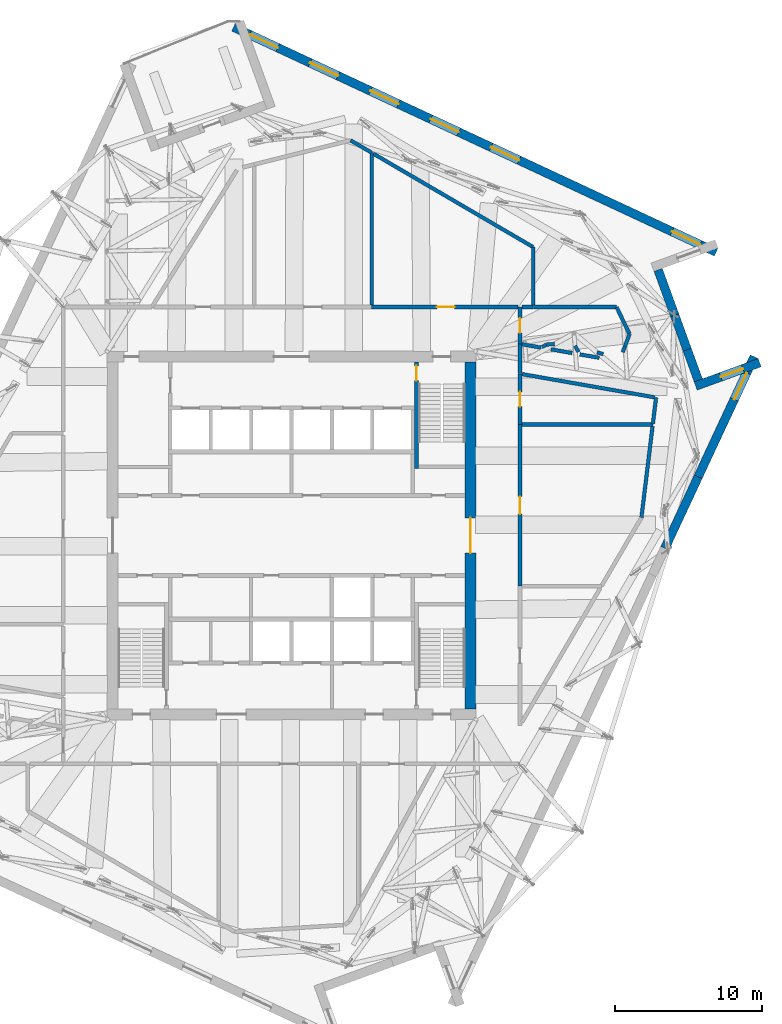
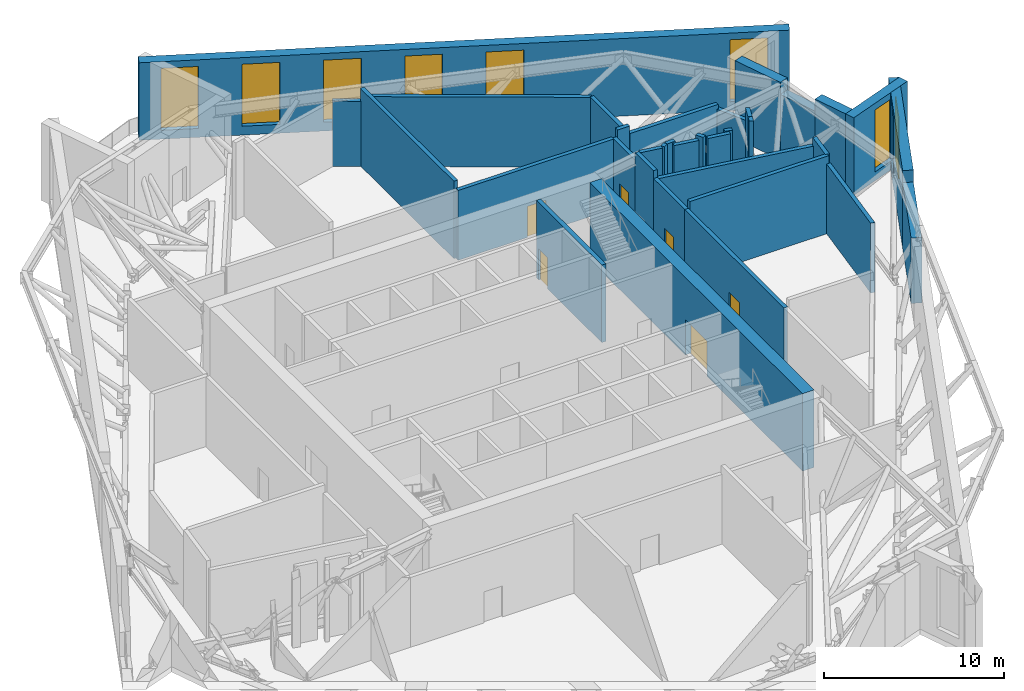
# One storey, part 8 of 15: 34 walls, 8 windows, 6 doors, 14 openings.
"""IFC4 building model written with IfcOpenShell, lengths in metres."""

from ifc_helpers import new_model, si_unit, direction, frame, frame_2d, origin, place, context, subcontext, project, spatial, rectangle, extrude, material, layer, layer_set, type_object, element, fill, save


model = new_model("IFC4")

# Units and contexts
model_context = context("Model", 3, precision=1e-05, world=origin(), true_north=direction((0.0, 1.0)))
body_context = subcontext(model_context, "Body", "Model", "MODEL_VIEW")
ifc_project = project(units=[si_unit("LENGTHUNIT", "METRE"), si_unit("AREAUNIT", "SQUARE_METRE"), si_unit("VOLUMEUNIT", "CUBIC_METRE"), si_unit("PLANEANGLEUNIT", "RADIAN"), si_unit("MASSUNIT", "GRAM", prefix="KILO")], contexts=[model_context])

# Site, building, storey
site_placement = place(None, origin())
site = spatial("IfcSite", under=ifc_project, at=site_placement, CompositionType="ELEMENT")
building_placement = place(site_placement, origin())
building = spatial("IfcBuilding", under=site, at=building_placement, Name="Dilmun Exchange Tower", CompositionType="ELEMENT")
storey_placement = place(building_placement, frame((0.0, 0.0, 290.89990234375)))
storey = spatial("IfcBuildingStorey", under=building, at=storey_placement, Name="L69", CompositionType="ELEMENT", Elevation=290.89990234375)

# Wall, opening, door
ifc_material_1 = material(Name="Concrete C50/60", Category="concrete")
ifc_layer_1 = layer(ifc_material_1, 0.75)
ifc_layer_set_1 = layer_set([ifc_layer_1], Name="Concrete C50/60")
wall_type_1 = type_object("IfcWallType", Name="Core shear wall 750 Concrete C50/60", PredefinedType="SHEAR", material=ifc_layer_set_1)
wall_1_placement = place(storey_placement, frame((12.175048828125, -11.800048828125, 0.0), z_axis=(0.0, 0.0, 1.0), x_axis=(0.0, 1.0, 0.0)))
wall_1 = element("IfcWall", 1, at=wall_1_placement, inside=storey, type_object=wall_type_1, Name="L69 core shear wall E", PredefinedType="SHEAR", context=body_context, shape_type="SweptSolid", body=[
    extrude(rectangle(XDim=23.60009765625, YDim=0.75, at=frame_2d((11.800048828125, 0.0))), origin(), (0.0, 0.0, 1.0), 5.25),
])
opening_1_placement = place(wall_1_placement, frame((10.60009765625, 0.0, 0.0)))
opening_1 = element("IfcOpeningElement", 2, at=opening_1_placement, cuts=wall_1, Name="Opening CD1", PredefinedType="OPENING", context=body_context, shape_type="SweptSolid", body=[
    extrude(rectangle(XDim=2.39990234375, YDim=2.39990234375, at=frame_2d((1.199951171875, 1.199951171875))), frame((0.0, 0.385009765625, 0.0), z_axis=(0.0, -1.0, 0.0), x_axis=(1.0, 0.0, 0.0)), (0.0, 0.0, 1.0), 0.77001953125),
])
ifc_material_2 = material(Name="Fire-rated steel door set", Category="steel")
door_type_1 = type_object("IfcDoorType", Name="Core lobby door 2400x2400", OperationType="DOUBLE_DOOR_DOUBLE_SWING", PredefinedType="DOOR", material=ifc_material_2)
door_1_placement = place(opening_1_placement, origin())
door_1 = element("IfcDoor", 3, at=door_1_placement, inside=storey, type_object=door_type_1, Name="L69 door Central lift lobby", OperationType="SINGLE_SWING_LEFT", OverallHeight=2.39990234375, OverallWidth=2.39990234375, PredefinedType="DOOR", context=body_context, shape_type="SweptSolid", body=[
    extrude(rectangle(XDim=2.39990234375, YDim=2.39990234375, at=frame_2d((1.199951171875, 1.199951171875))), frame((0.0, 0.02490234375, 0.0), z_axis=(0.0, -1.0, 0.0), x_axis=(1.0, 0.0, 0.0)), (0.0, 0.0, 1.0), 0.050048828125),
])
fill(opening_1, door_1)

ifc_material_3 = material(Name="Concrete C32/40", Category="concrete")
ifc_layer_2 = layer(ifc_material_3, 0.25)
ifc_layer_set_2 = layer_set([ifc_layer_2], Name="Concrete C32/40")
wall_type_2 = type_object("IfcWallType", Name="Plant room wall 250", PredefinedType="PARTITIONING", material=ifc_layer_set_2)
wall_2_placement = place(storey_placement, frame((15.550048828125, -3.445068359375, 0.0), z_axis=(0.0, 0.0, 1.0), x_axis=(0.0, 1.0, 0.0)))
wall_2 = element("IfcWall", 4, at=wall_2_placement, inside=storey, type_object=wall_type_2, Name="L69 plant room wall 35", PredefinedType="PARTITIONING", context=body_context, shape_type="SweptSolid", body=[
    extrude(rectangle(XDim=10.9951171875, YDim=0.25, at=frame_2d((5.49755859375, 0.0))), origin(), (0.0, 0.0, 1.0), 4.72998046875),
])
opening_2_placement = place(wall_2_placement, frame((4.89501953125, 0.0, 0.0)))
opening_2 = element("IfcOpeningElement", 5, at=opening_2_placement, cuts=wall_2, Name="Opening PD2", PredefinedType="OPENING", context=body_context, shape_type="SweptSolid", body=[
    extrude(rectangle(XDim=1.199951171875, YDim=2.10009765625, at=frame_2d((0.60009765625, 1.050048828125))), frame((0.0, 0.135009765625, 0.0), z_axis=(0.0, -1.0, 0.0), x_axis=(1.0, 0.0, 0.0)), (0.0, 0.0, 1.0), 0.27001953125),
])
door_type_2 = type_object("IfcDoorType", Name="Plant room door 1200x2100", OperationType="SINGLE_SWING_LEFT", PredefinedType="DOOR", material=ifc_material_2)
door_2_placement = place(opening_2_placement, origin())
door_2 = element("IfcDoor", 6, at=door_2_placement, inside=storey, type_object=door_type_2, Name="L69 door Plant fire pump room", OperationType="SINGLE_SWING_LEFT", OverallHeight=2.10009765625, OverallWidth=1.199951171875, PredefinedType="DOOR", context=body_context, shape_type="SweptSolid", body=[
    extrude(rectangle(XDim=1.199951171875, YDim=2.10009765625, at=frame_2d((0.60009765625, 1.050048828125))), frame((0.0, 0.02490234375, 0.0), z_axis=(0.0, -1.0, 0.0), x_axis=(1.0, 0.0, 0.0)), (0.0, 0.0, 1.0), 0.050048828125),
])
fill(opening_2, door_2)

wall_3_placement = place(storey_placement, frame((15.550048828125, 7.554931640625, 0.0), z_axis=(0.0, 0.0, 1.0), x_axis=(0.0, 1.0, 0.0)))
wall_3 = element("IfcWall", 7, at=wall_3_placement, inside=storey, type_object=wall_type_2, Name="L69 plant room wall 42", PredefinedType="PARTITIONING", context=body_context, shape_type="SweptSolid", body=[
    extrude(rectangle(XDim=3.45458984375, YDim=0.25, at=frame_2d((1.727294921875, 0.0))), origin(), (0.0, 0.0, 1.0), 4.72998046875),
])
opening_3_placement = place(wall_3_placement, frame((1.224609375, 0.0, 0.0)))
opening_3 = element("IfcOpeningElement", 8, at=opening_3_placement, cuts=wall_3, Name="Opening PD1", PredefinedType="OPENING", context=body_context, shape_type="SweptSolid", body=[
    extrude(rectangle(XDim=1.0, YDim=2.10009765625, at=frame_2d((0.5, 1.050048828125))), frame((0.0, 0.135009765625, 0.0), z_axis=(0.0, -1.0, 0.0), x_axis=(1.0, 0.0, 0.0)), (0.0, 0.0, 1.0), 0.27001953125),
])
door_type_3 = type_object("IfcDoorType", Name="Plant room door 1000x2100", OperationType="SINGLE_SWING_LEFT", PredefinedType="DOOR", material=ifc_material_2)
door_3_placement = place(opening_3_placement, origin())
door_3 = element("IfcDoor", 9, at=door_3_placement, inside=storey, type_object=door_type_3, Name="L69 door Electrical plant room", OperationType="SINGLE_SWING_RIGHT", OverallHeight=2.10009765625, OverallWidth=1.0, PredefinedType="DOOR", context=body_context, shape_type="SweptSolid", body=[
    extrude(rectangle(XDim=1.0, YDim=2.10009765625, at=frame_2d((0.5, 1.050048828125))), frame((0.0, 0.02490234375, 0.0), z_axis=(0.0, -1.0, 0.0), x_axis=(1.0, 0.0, 0.0)), (0.0, 0.0, 1.0), 0.050048828125),
])
fill(opening_3, door_3)

# Walls
wall_4_placement = place(storey_placement, frame((15.679931640625, 7.550048828125, 0.0), z_axis=(0.0, 0.0, 1.0), x_axis=(1.0, 0.0, 0.0)))
element("IfcWall", 10, at=wall_4_placement, inside=storey, type_object=wall_type_2, Name="L69 plant room wall 43", PredefinedType="PARTITIONING", context=body_context, shape_type="SweptSolid", body=[
    extrude(rectangle(XDim=8.91015625, YDim=0.25, at=frame_2d((4.455078125, 0.0))), origin(), (0.0, 0.0, 1.0), 5.25),
])
wall_5_placement = place(storey_placement, frame((23.817138671875, 1.216796875, 0.0), z_axis=(0.0, 0.0, 1.0), x_axis=(0.121149204596, 0.992634308407, 0.0)))
element("IfcWall", 11, at=wall_5_placement, inside=storey, type_object=wall_type_2, Name="L69 plant room wall 44", PredefinedType="PARTITIONING", context=body_context, shape_type="SweptSolid", body=[
    extrude(rectangle(XDim=6.249267578125, YDim=0.25, at=frame_2d((3.12451171875, 0.0))), origin(), (0.0, 0.0, 1.0), 4.72998046875),
])
wall_6_placement = place(storey_placement, frame((24.594970703125, 7.591064453125, 0.0), z_axis=(0.0, 0.0, 1.0), x_axis=(0.121161380242, 0.992632822315, 0.0)))
element("IfcWall", 12, at=wall_6_placement, inside=storey, type_object=wall_type_2, Name="L69 plant room wall 45", PredefinedType="PARTITIONING", context=body_context, shape_type="SweptSolid", body=[
    extrude(rectangle(XDim=1.8095703125, YDim=0.25, at=frame_2d((0.90478515625, 0.0))), origin(), (0.0, 0.0, 1.0), 5.25),
])
wall_7_placement = place(storey_placement, frame((15.550048828125, 11.014404296875, 0.0), z_axis=(0.0, 0.0, 1.0), x_axis=(0.0, 1.0, 0.0)))
element("IfcWall", 13, at=wall_7_placement, inside=storey, type_object=wall_type_2, Name="L69 plant room wall 46", PredefinedType="PARTITIONING", context=body_context, shape_type="SweptSolid", body=[
    extrude(rectangle(XDim=2.025390625, YDim=0.25, at=frame_2d((1.0126953125, 0.0))), origin(), (0.0, 0.0, 1.0), 5.25),
])
wall_8_placement = place(storey_placement, frame((15.679931640625, 10.98681640625, 0.0), z_axis=(0.0, 0.0, 1.0), x_axis=(0.985009567224, -0.172499717323, 0.0)))
element("IfcWall", 14, at=wall_8_placement, inside=storey, type_object=wall_type_2, Name="L69 plant room wall 47", PredefinedType="PARTITIONING", context=body_context, shape_type="SweptSolid", body=[
    extrude(rectangle(XDim=9.1767578125, YDim=0.25, at=frame_2d((4.58837890625, 0.0))), origin(), (0.0, 0.0, 1.0), 4.72998046875),
])
wall_9_placement = place(storey_placement, frame((19.625732421875, 12.326171875, 0.0), z_axis=(0.0, 0.0, 1.0), x_axis=(0.985238475206, -0.171187461496, 0.0)))
element("IfcWall", 15, at=wall_9_placement, inside=storey, type_object=wall_type_2, Name="L69 plant room wall 48", PredefinedType="PARTITIONING", context=body_context, shape_type="SweptSolid", body=[
    extrude(rectangle(XDim=1.340576171875, YDim=0.25, at=frame_2d((0.67041015625, 0.0))), origin(), (0.0, 0.0, 1.0), 5.25),
])
wall_10_placement = place(storey_placement, frame((20.797607421875, 12.46240234375, 0.0), z_axis=(0.0, 0.0, 1.0), x_axis=(0.966951840267, -0.254959092022, 0.0)))
element("IfcWall", 16, at=wall_10_placement, inside=storey, type_object=wall_type_2, Name="L69 plant room wall 49", PredefinedType="PARTITIONING", context=body_context, shape_type="SweptSolid", body=[
    extrude(rectangle(XDim=0.4384765625, YDim=0.25, at=frame_2d((0.21923828125, 0.0))), origin(), (0.0, 0.0, 1.0), 5.25),
])
wall_11_placement = place(storey_placement, frame((17.65966796875, 12.67041015625, 0.0), z_axis=(0.0, 0.0, 1.0), x_axis=(0.985007795471, -0.172509834098, 0.0)))
element("IfcWall", 17, at=wall_11_placement, inside=storey, type_object=wall_type_2, Name="L69 plant room wall 50", PredefinedType="PARTITIONING", context=body_context, shape_type="SweptSolid", body=[
    extrude(rectangle(XDim=1.46337890625, YDim=0.25, at=frame_2d((0.731689453125, 0.0))), origin(), (0.0, 0.0, 1.0), 5.25),
])
wall_12_placement = place(storey_placement, frame((19.299072265625, 12.910400390625, 0.0), z_axis=(0.0, 0.0, 1.0), x_axis=(0.488126794077, -0.872772726948, 0.0)))
element("IfcWall", 18, at=wall_12_placement, inside=storey, type_object=wall_type_2, Name="L69 plant room wall 51", PredefinedType="PARTITIONING", context=body_context, shape_type="SweptSolid", body=[
    extrude(rectangle(XDim=0.483642578125, YDim=0.25, at=frame_2d((0.24169921875, 0.0))), origin(), (0.0, 0.0, 1.0), 5.25),
])
wall_13_placement = place(storey_placement, frame((15.679931640625, 13.01708984375, 0.0), z_axis=(0.0, 0.0, 1.0), x_axis=(0.985021041015, -0.172434186744, 0.0)))
element("IfcWall", 19, at=wall_13_placement, inside=storey, type_object=wall_type_2, Name="L69 plant room wall 52", PredefinedType="PARTITIONING", context=body_context, shape_type="SweptSolid", body=[
    extrude(rectangle(XDim=1.319580078125, YDim=0.25, at=frame_2d((0.65966796875, 0.0))), origin(), (0.0, 0.0, 1.0), 5.25),
])
wall_14_placement = place(storey_placement, frame((22.541015625, 12.47314453125, 0.0), z_axis=(0.0, 0.0, 1.0), x_axis=(0.354513380096, 0.935050941571, 0.0)))
element("IfcWall", 20, at=wall_14_placement, inside=storey, type_object=wall_type_2, Name="L69 plant room wall 53", PredefinedType="PARTITIONING", context=body_context, shape_type="SweptSolid", body=[
    extrude(rectangle(XDim=0.41796875, YDim=0.25, at=frame_2d((0.208984375, 0.0))), origin(), (0.0, 0.0, 1.0), 5.25),
])
wall_15_placement = place(storey_placement, frame((17.04638671875, 12.826416015625, 0.0), z_axis=(0.0, 0.0, 1.0), x_axis=(0.874843598419, 0.484405489549, 0.0)))
element("IfcWall", 21, at=wall_15_placement, inside=storey, type_object=wall_type_2, Name="L69 plant room wall 54", PredefinedType="PARTITIONING", context=body_context, shape_type="SweptSolid", body=[
    extrude(rectangle(XDim=0.335205078125, YDim=0.25, at=frame_2d((0.16748046875, 0.0))), origin(), (0.0, 0.0, 1.0), 5.25),
])
wall_16_placement = place(storey_placement, frame((17.36767578125, 12.9970703125, 0.0), z_axis=(0.0, 0.0, 1.0), x_axis=(0.997609037461, 0.069110117755, 0.0)))
element("IfcWall", 22, at=wall_16_placement, inside=storey, type_object=wall_type_2, Name="L69 plant room wall 55", PredefinedType="PARTITIONING", context=body_context, shape_type="SweptSolid", body=[
    extrude(rectangle(XDim=0.5439453125, YDim=0.25, at=frame_2d((0.27197265625, 0.0))), origin(), (0.0, 0.0, 1.0), 5.25),
])

# Wall, opening, door
wall_17_placement = place(storey_placement, frame((15.550048828125, 13.044921875, 0.0), z_axis=(0.0, 0.0, 1.0), x_axis=(0.0, 1.0, 0.0)))
wall_17 = element("IfcWall", 23, at=wall_17_placement, inside=storey, type_object=wall_type_2, Name="L69 plant room wall 56", PredefinedType="PARTITIONING", context=body_context, shape_type="SweptSolid", body=[
    extrude(rectangle(XDim=2.505126953125, YDim=0.25, at=frame_2d((1.25244140625, 0.0))), origin(), (0.0, 0.0, 1.0), 4.72998046875),
])
opening_4_placement = place(wall_17_placement, frame((0.75, 0.0, 0.0)))
opening_4 = element("IfcOpeningElement", 24, at=opening_4_placement, cuts=wall_17, Name="Opening PD1", PredefinedType="OPENING", context=body_context, shape_type="SweptSolid", body=[
    extrude(rectangle(XDim=1.0, YDim=2.10009765625, at=frame_2d((0.5, 1.050048828125))), frame((0.0, 0.135009765625, 0.0), z_axis=(0.0, -1.0, 0.0), x_axis=(1.0, 0.0, 0.0)), (0.0, 0.0, 1.0), 0.27001953125),
])
door_4_placement = place(opening_4_placement, origin())
door_4 = element("IfcDoor", 25, at=door_4_placement, inside=storey, type_object=door_type_3, Name="L69 door Battery plant room", OperationType="SINGLE_SWING_LEFT", OverallHeight=2.10009765625, OverallWidth=1.0, PredefinedType="DOOR", context=body_context, shape_type="SweptSolid", body=[
    extrude(rectangle(XDim=1.0, YDim=2.10009765625, at=frame_2d((0.5, 1.050048828125))), frame((0.0, 0.02490234375, 0.0), z_axis=(0.0, -1.0, 0.0), x_axis=(1.0, 0.0, 0.0)), (0.0, 0.0, 1.0), 0.050048828125),
])
fill(opening_4, door_4)

# Wall
wall_18_placement = place(storey_placement, frame((22.69384765625, 12.876708984375, 0.0), z_axis=(0.0, 0.0, 1.0), x_axis=(0.35491738189, 0.934897669284, 0.0)))
element("IfcWall", 26, at=wall_18_placement, inside=storey, type_object=wall_type_2, Name="L69 plant room wall 57", PredefinedType="PARTITIONING", context=body_context, shape_type="SweptSolid", body=[
    extrude(rectangle(XDim=0.89501953125, YDim=0.25, at=frame_2d((0.447509765625, 0.0))), origin(), (0.0, 0.0, 1.0), 5.25),
])

# Wall, opening, door
wall_19_placement = place(storey_placement, frame((5.455078125, 15.550048828125, 0.0), z_axis=(0.0, 0.0, 1.0), x_axis=(1.0, 0.0, 0.0)))
wall_19 = element("IfcWall", 27, at=wall_19_placement, inside=storey, type_object=wall_type_2, Name="L69 plant room wall 63", PredefinedType="PARTITIONING", context=body_context, shape_type="SweptSolid", body=[
    extrude(rectangle(XDim=9.96484375, YDim=0.25, at=frame_2d((4.982421875, 0.0))), origin(), (0.0, 0.0, 1.0), 4.72998046875),
])
opening_5_placement = place(wall_19_placement, frame((4.445068359375, 0.0, 0.0)))
opening_5 = element("IfcOpeningElement", 28, at=opening_5_placement, cuts=wall_19, Name="Opening PD2", PredefinedType="OPENING", context=body_context, shape_type="SweptSolid", body=[
    extrude(rectangle(XDim=1.199951171875, YDim=2.10009765625, at=frame_2d((0.60009765625, 1.050048828125))), frame((0.0, 0.135009765625, 0.0), z_axis=(0.0, -1.0, 0.0), x_axis=(1.0, 0.0, 0.0)), (0.0, 0.0, 1.0), 0.27001953125),
])
door_5_placement = place(opening_5_placement, origin())
door_5 = element("IfcDoor", 29, at=door_5_placement, inside=storey, type_object=door_type_2, Name="L69 door Refuge area", OperationType="SINGLE_SWING_RIGHT", OverallHeight=2.10009765625, OverallWidth=1.199951171875, PredefinedType="DOOR", context=body_context, shape_type="SweptSolid", body=[
    extrude(rectangle(XDim=1.199951171875, YDim=2.10009765625, at=frame_2d((0.60009765625, 1.050048828125))), frame((0.0, 0.02490234375, 0.0), z_axis=(0.0, -1.0, 0.0), x_axis=(1.0, 0.0, 0.0)), (0.0, 0.0, 1.0), 0.050048828125),
])
fill(opening_5, door_5)

# Walls
wall_20_placement = place(storey_placement, frame((15.679931640625, 15.550048828125, 0.0), z_axis=(0.0, 0.0, 1.0), x_axis=(1.0, 0.0, 0.0)))
element("IfcWall", 30, at=wall_20_placement, inside=storey, type_object=wall_type_2, Name="L69 plant room wall 64", PredefinedType="PARTITIONING", context=body_context, shape_type="SweptSolid", body=[
    extrude(rectangle(XDim=0.77001953125, YDim=0.25, at=frame_2d((0.385009765625, 0.0))), origin(), (0.0, 0.0, 1.0), 5.25),
])
wall_21_placement = place(storey_placement, frame((16.455078125, 15.550048828125, 0.0), z_axis=(0.0, 0.0, 1.0), x_axis=(1.0, 0.0, 0.0)))
element("IfcWall", 31, at=wall_21_placement, inside=storey, type_object=wall_type_2, Name="L69 plant room wall 65", PredefinedType="PARTITIONING", context=body_context, shape_type="SweptSolid", body=[
    extrude(rectangle(XDim=5.66796875, YDim=0.25, at=frame_2d((2.833984375, 0.0))), origin(), (0.0, 0.0, 1.0), 4.72998046875),
])
wall_22_placement = place(storey_placement, frame((22.1279296875, 15.539794921875, 0.0), z_axis=(0.0, 0.0, 1.0), x_axis=(0.435485167272, -0.900195905948, 0.0)))
element("IfcWall", 32, at=wall_22_placement, inside=storey, type_object=wall_type_2, Name="L69 plant room wall 66", PredefinedType="PARTITIONING", context=body_context, shape_type="SweptSolid", body=[
    extrude(rectangle(XDim=2.021484375, YDim=0.25, at=frame_2d((1.0107421875, 0.0))), origin(), (0.0, 0.0, 1.0), 4.43017578125),
])
wall_23_placement = place(storey_placement, frame((16.449951171875, 15.679931640625, 0.0), z_axis=(0.0, 0.0, 1.0), x_axis=(0.0, 1.0, 0.0)))
element("IfcWall", 33, at=wall_23_placement, inside=storey, type_object=wall_type_2, Name="L69 plant room wall 67", PredefinedType="PARTITIONING", context=body_context, shape_type="SweptSolid", body=[
    extrude(rectangle(XDim=3.95166015625, YDim=0.25, at=frame_2d((1.975830078125, 0.0))), origin(), (0.0, 0.0, 1.0), 4.72998046875),
])
wall_24_placement = place(storey_placement, frame((5.449951171875, 15.679931640625, 0.0), z_axis=(0.0, 0.0, 1.0), x_axis=(0.0, 1.0, 0.0)))
element("IfcWall", 34, at=wall_24_placement, inside=storey, type_object=wall_type_2, Name="L69 plant room wall 71", PredefinedType="PARTITIONING", context=body_context, shape_type="SweptSolid", body=[
    extrude(rectangle(XDim=10.38134765625, YDim=0.25, at=frame_2d((5.190673828125, 0.0))), origin(), (0.0, 0.0, 1.0), 5.25),
])
wall_25_placement = place(storey_placement, frame((5.580078125, 25.9853515625, 0.0), z_axis=(0.0, 0.0, 1.0), x_axis=(0.863333734734, -0.504633394129, 0.0)))
element("IfcWall", 35, at=wall_25_placement, inside=storey, type_object=wall_type_2, Name="L69 plant room wall 72", PredefinedType="PARTITIONING", context=body_context, shape_type="SweptSolid", body=[
    extrude(rectangle(XDim=12.58056640625, YDim=0.25, at=frame_2d((6.290283203125, 0.0))), origin(), (0.0, 0.0, 1.0), 4.72998046875),
])
wall_26_placement = place(storey_placement, frame((4.017578125, 26.8984375, 0.0), z_axis=(0.0, 0.0, 1.0), x_axis=(0.863392044952, -0.504533622976, 0.0)))
element("IfcWall", 36, at=wall_26_placement, inside=storey, type_object=wall_type_2, Name="L69 plant room wall 73", PredefinedType="PARTITIONING", context=body_context, shape_type="SweptSolid", body=[
    extrude(rectangle(XDim=1.649169921875, YDim=0.25, at=frame_2d((0.82470703125, 0.0))), origin(), (0.0, 0.0, 1.0), 4.416015625),
])
ifc_material_4 = material(Name="Precast concrete C50/60", Category="concrete")
ifc_layer_3 = layer(ifc_material_4, 0.60009765625)
ifc_layer_set_3 = layer_set([ifc_layer_3], Name="Precast concrete C50/60")
wall_type_3 = type_object("IfcWallType", Name="Precast stone-clad wall 600", PredefinedType="STANDARD", material=ifc_layer_set_3)
wall_27_placement = place(storey_placement, frame((25.408447265625, -0.880615234375, 0.0), z_axis=(0.0, 0.0, 1.0), x_axis=(0.42260230904, 0.906315225732, 0.0)))
element("IfcWall", 37, at=wall_27_placement, inside=storey, type_object=wall_type_3, Name="Facade wall L69-11c", PredefinedType="STANDARD", context=body_context, shape_type="SweptSolid", body=[
    extrude(rectangle(XDim=5.38134765625, YDim=0.60009765625, at=frame_2d((2.690673828125, 0.0))), origin(), (0.0, 0.0, 1.0), 4.43603515625),
])

# Wall, opening, window
wall_28_placement = place(storey_placement, frame((27.6826171875, 3.99658203125, 0.0), z_axis=(0.0, 0.0, 1.0), x_axis=(0.422638049203, 0.906298559729, 0.0)))
wall_28 = element("IfcWall", 38, at=wall_28_placement, inside=storey, type_object=wall_type_3, Name="Facade wall L69-11d", PredefinedType="STANDARD", context=body_context, shape_type="SweptSolid", body=[
    extrude(rectangle(XDim=9.02197265625, YDim=0.60009765625, at=frame_2d((4.510986328125, 0.0))), origin(), (0.0, 0.0, 1.0), 5.25),
])
opening_6_placement = place(wall_28_placement, frame((5.80859375, 0.0, 0.60009765625)))
opening_6 = element("IfcOpeningElement", 39, at=opening_6_placement, cuts=wall_28, Name="Opening LV200-420", PredefinedType="OPENING", context=body_context, shape_type="SweptSolid", body=[
    extrude(rectangle(XDim=2.0, YDim=4.199951171875, at=frame_2d((1.0, 2.10009765625))), frame((0.0, 0.31005859375, 0.0), z_axis=(0.0, -1.0, 0.0), x_axis=(1.0, 0.0, 0.0)), (0.0, 0.0, 1.0), 0.6201171875),
])
ifc_material_5 = material(Name="Anodised aluminium louvre blades with sand trap", Category="aluminium")
window_type_1 = type_object("IfcWindowType", Name="Plant louvre 2000 x 4200", PartitioningType="SINGLE_PANEL", PredefinedType="USERDEFINED", material=ifc_material_5)
window_1_placement = place(opening_6_placement, origin())
window_1 = element("IfcWindow", 40, at=window_1_placement, inside=storey, type_object=window_type_1, Name="Plant louvre 12.11", ObjectType="LOUVRE", OverallHeight=4.199951171875, OverallWidth=2.0, PartitioningType="SINGLE_PANEL", PredefinedType="USERDEFINED", context=body_context, shape_type="SweptSolid", body=[
    extrude(rectangle(XDim=2.0, YDim=4.199951171875, at=frame_2d((1.0, 2.10009765625))), frame((0.0, 0.030029296875, 0.0), z_axis=(0.0, -1.0, 0.0), x_axis=(1.0, 0.0, 0.0)), (0.0, 0.0, 1.0), 0.06005859375),
])
fill(opening_6, window_1)

wall_29_placement = place(storey_placement, frame((31.8701171875, 11.764404296875, 0.0), z_axis=(0.0, 0.0, 1.0), x_axis=(-0.939698052097, -0.342005220552, 0.0)))
wall_29 = element("IfcWall", 41, at=wall_29_placement, inside=storey, type_object=wall_type_3, Name="Facade wall L69-12", PredefinedType="STANDARD", context=body_context, shape_type="SweptSolid", body=[
    extrude(rectangle(XDim=4.6357421875, YDim=0.60009765625, at=frame_2d((2.31787109375, 0.0))), origin(), (0.0, 0.0, 1.0), 5.25),
])
opening_7_placement = place(wall_29_placement, frame((1.2177734375, 0.0, 0.60009765625)))
opening_7 = element("IfcOpeningElement", 42, at=opening_7_placement, cuts=wall_29, Name="Opening LV160-420", PredefinedType="OPENING", context=body_context, shape_type="SweptSolid", body=[
    extrude(rectangle(XDim=1.60009765625, YDim=4.199951171875, at=frame_2d((0.800048828125, 2.10009765625))), frame((0.0, 0.31005859375, 0.0), z_axis=(0.0, -1.0, 0.0), x_axis=(1.0, 0.0, 0.0)), (0.0, 0.0, 1.0), 0.6201171875),
])
window_type_2 = type_object("IfcWindowType", Name="Plant louvre 1600 x 4200", PartitioningType="SINGLE_PANEL", PredefinedType="USERDEFINED", material=ifc_material_5)
window_2_placement = place(opening_7_placement, origin())
window_2 = element("IfcWindow", 43, at=window_2_placement, inside=storey, type_object=window_type_2, Name="Plant louvre 13.1", ObjectType="LOUVRE", OverallHeight=4.199951171875, OverallWidth=1.60009765625, PartitioningType="SINGLE_PANEL", PredefinedType="USERDEFINED", context=body_context, shape_type="SweptSolid", body=[
    extrude(rectangle(XDim=1.60009765625, YDim=4.199951171875, at=frame_2d((0.800048828125, 2.10009765625))), frame((0.0, 0.030029296875, 0.0), z_axis=(0.0, -1.0, 0.0), x_axis=(1.0, 0.0, 0.0)), (0.0, 0.0, 1.0), 0.06005859375),
])
fill(opening_7, window_2)

# Walls
wall_30_placement = place(storey_placement, frame((27.693359375, 10.5634765625, 0.0), z_axis=(0.0, 0.0, 1.0), x_axis=(-0.342035108526, 0.939687173763, 0.0)))
element("IfcWall", 44, at=wall_30_placement, inside=storey, type_object=wall_type_3, Name="Facade wall L69-13a", PredefinedType="STANDARD", context=body_context, shape_type="SweptSolid", body=[
    extrude(rectangle(XDim=2.21484375, YDim=0.60009765625, at=frame_2d((1.107421875, 0.0))), origin(), (0.0, 0.0, 1.0), 5.25),
])
wall_31_placement = place(storey_placement, frame((26.935791015625, 12.644775390625, 0.0), z_axis=(0.0, 0.0, 1.0), x_axis=(-0.342071316104, 0.93967399384, 0.0)))
element("IfcWall", 45, at=wall_31_placement, inside=storey, type_object=wall_type_3, Name="Facade wall L69-13b", PredefinedType="STANDARD", context=body_context, shape_type="SweptSolid", body=[
    extrude(rectangle(XDim=2.508056640625, YDim=0.60009765625, at=frame_2d((1.25390625, 0.0))), origin(), (0.0, 0.0, 1.0), 4.43603515625),
])
wall_32_placement = place(storey_placement, frame((26.077880859375, 15.00146484375, 0.0), z_axis=(0.0, 0.0, 1.0), x_axis=(-0.342012214298, 0.939695506678, 0.0)))
element("IfcWall", 46, at=wall_32_placement, inside=storey, type_object=wall_type_3, Name="Facade wall L69-13c", PredefinedType="STANDARD", context=body_context, shape_type="SweptSolid", body=[
    extrude(rectangle(XDim=3.277099609375, YDim=0.60009765625, at=frame_2d((1.638671875, 0.0))), origin(), (0.0, 0.0, 1.0), 5.25),
])

# Wall, openings, windows
wall_33_placement = place(storey_placement, frame((28.904296875, 19.2919921875, 0.0), z_axis=(0.0, 0.0, 1.0), x_axis=(-0.906308899711, 0.422615875594, 0.0)))
wall_33 = element("IfcWall", 47, at=wall_33_placement, inside=storey, type_object=wall_type_3, Name="Facade wall L69-15", PredefinedType="STANDARD", context=body_context, shape_type="SweptSolid", body=[
    extrude(rectangle(XDim=36.2431640625, YDim=0.60009765625, at=frame_2d((18.12158203125, 0.0))), origin(), (0.0, 0.0, 1.0), 5.25),
])
opening_8_placement = place(wall_33_placement, frame((1.215087890625, 0.0, 0.60009765625)))
opening_8 = element("IfcOpeningElement", 48, at=opening_8_placement, cuts=wall_33, Name="Opening LV210-420", PredefinedType="OPENING", context=body_context, shape_type="SweptSolid", body=[
    extrude(rectangle(XDim=2.10009765625, YDim=4.199951171875, at=frame_2d((1.050048828125, 2.10009765625))), frame((0.0, 0.31005859375, 0.0), z_axis=(0.0, -1.0, 0.0), x_axis=(1.0, 0.0, 0.0)), (0.0, 0.0, 1.0), 0.6201171875),
])
opening_9_placement = place(wall_33_placement, frame((14.806396484375, 0.0, 0.60009765625)))
opening_9 = element("IfcOpeningElement", 49, at=opening_9_placement, cuts=wall_33, Name="Opening LV210-420", PredefinedType="OPENING", context=body_context, shape_type="SweptSolid", body=[
    extrude(rectangle(XDim=2.10009765625, YDim=4.199951171875, at=frame_2d((1.050048828125, 2.10009765625))), frame((0.0, 0.31005859375, 0.0), z_axis=(0.0, -1.0, 0.0), x_axis=(1.0, 0.0, 0.0)), (0.0, 0.0, 1.0), 0.6201171875),
])
opening_10_placement = place(wall_33_placement, frame((19.3369140625, 0.0, 0.60009765625)))
opening_10 = element("IfcOpeningElement", 50, at=opening_10_placement, cuts=wall_33, Name="Opening LV210-420", PredefinedType="OPENING", context=body_context, shape_type="SweptSolid", body=[
    extrude(rectangle(XDim=2.10009765625, YDim=4.199951171875, at=frame_2d((1.050048828125, 2.10009765625))), frame((0.0, 0.31005859375, 0.0), z_axis=(0.0, -1.0, 0.0), x_axis=(1.0, 0.0, 0.0)), (0.0, 0.0, 1.0), 0.6201171875),
])
opening_11_placement = place(wall_33_placement, frame((23.8671875, 0.0, 0.60009765625)))
opening_11 = element("IfcOpeningElement", 51, at=opening_11_placement, cuts=wall_33, Name="Opening LV210-420", PredefinedType="OPENING", context=body_context, shape_type="SweptSolid", body=[
    extrude(rectangle(XDim=2.10009765625, YDim=4.199951171875, at=frame_2d((1.050048828125, 2.10009765625))), frame((0.0, 0.31005859375, 0.0), z_axis=(0.0, -1.0, 0.0), x_axis=(1.0, 0.0, 0.0)), (0.0, 0.0, 1.0), 0.6201171875),
])
opening_12_placement = place(wall_33_placement, frame((28.397705078125, 0.0, 0.60009765625)))
opening_12 = element("IfcOpeningElement", 52, at=opening_12_placement, cuts=wall_33, Name="Opening LV210-420", PredefinedType="OPENING", context=body_context, shape_type="SweptSolid", body=[
    extrude(rectangle(XDim=2.10009765625, YDim=4.199951171875, at=frame_2d((1.050048828125, 2.10009765625))), frame((0.0, 0.31005859375, 0.0), z_axis=(0.0, -1.0, 0.0), x_axis=(1.0, 0.0, 0.0)), (0.0, 0.0, 1.0), 0.6201171875),
])
opening_13_placement = place(wall_33_placement, frame((32.927978515625, 0.0, 0.60009765625)))
opening_13 = element("IfcOpeningElement", 53, at=opening_13_placement, cuts=wall_33, Name="Opening LV210-420", PredefinedType="OPENING", context=body_context, shape_type="SweptSolid", body=[
    extrude(rectangle(XDim=2.10009765625, YDim=4.199951171875, at=frame_2d((1.050048828125, 2.10009765625))), frame((0.0, 0.31005859375, 0.0), z_axis=(0.0, -1.0, 0.0), x_axis=(1.0, 0.0, 0.0)), (0.0, 0.0, 1.0), 0.6201171875),
])
window_type_3 = type_object("IfcWindowType", Name="Plant louvre 2100 x 4200", PartitioningType="SINGLE_PANEL", PredefinedType="USERDEFINED", material=ifc_material_5)
window_3_placement = place(opening_8_placement, origin())
window_3 = element("IfcWindow", 54, at=window_3_placement, inside=storey, type_object=window_type_3, Name="Plant louvre 16.1", ObjectType="LOUVRE", OverallHeight=4.199951171875, OverallWidth=2.10009765625, PartitioningType="SINGLE_PANEL", PredefinedType="USERDEFINED", context=body_context, shape_type="SweptSolid", body=[
    extrude(rectangle(XDim=2.10009765625, YDim=4.199951171875, at=frame_2d((1.050048828125, 2.10009765625))), frame((0.0, 0.030029296875, 0.0), z_axis=(0.0, -1.0, 0.0), x_axis=(1.0, 0.0, 0.0)), (0.0, 0.0, 1.0), 0.06005859375),
])
fill(opening_8, window_3)
window_4_placement = place(opening_9_placement, origin())
window_4 = element("IfcWindow", 55, at=window_4_placement, inside=storey, type_object=window_type_3, Name="Plant louvre 16.4", ObjectType="LOUVRE", OverallHeight=4.199951171875, OverallWidth=2.10009765625, PartitioningType="SINGLE_PANEL", PredefinedType="USERDEFINED", context=body_context, shape_type="SweptSolid", body=[
    extrude(rectangle(XDim=2.10009765625, YDim=4.199951171875, at=frame_2d((1.050048828125, 2.10009765625))), frame((0.0, 0.030029296875, 0.0), z_axis=(0.0, -1.0, 0.0), x_axis=(1.0, 0.0, 0.0)), (0.0, 0.0, 1.0), 0.06005859375),
])
fill(opening_9, window_4)
window_5_placement = place(opening_10_placement, origin())
window_5 = element("IfcWindow", 56, at=window_5_placement, inside=storey, type_object=window_type_3, Name="Plant louvre 16.5", ObjectType="LOUVRE", OverallHeight=4.199951171875, OverallWidth=2.10009765625, PartitioningType="SINGLE_PANEL", PredefinedType="USERDEFINED", context=body_context, shape_type="SweptSolid", body=[
    extrude(rectangle(XDim=2.10009765625, YDim=4.199951171875, at=frame_2d((1.050048828125, 2.10009765625))), frame((0.0, 0.030029296875, 0.0), z_axis=(0.0, -1.0, 0.0), x_axis=(1.0, 0.0, 0.0)), (0.0, 0.0, 1.0), 0.06005859375),
])
fill(opening_10, window_5)
window_6_placement = place(opening_11_placement, origin())
window_6 = element("IfcWindow", 57, at=window_6_placement, inside=storey, type_object=window_type_3, Name="Plant louvre 16.6", ObjectType="LOUVRE", OverallHeight=4.199951171875, OverallWidth=2.10009765625, PartitioningType="SINGLE_PANEL", PredefinedType="USERDEFINED", context=body_context, shape_type="SweptSolid", body=[
    extrude(rectangle(XDim=2.10009765625, YDim=4.199951171875, at=frame_2d((1.050048828125, 2.10009765625))), frame((0.0, 0.030029296875, 0.0), z_axis=(0.0, -1.0, 0.0), x_axis=(1.0, 0.0, 0.0)), (0.0, 0.0, 1.0), 0.06005859375),
])
fill(opening_11, window_6)
window_7_placement = place(opening_12_placement, origin())
window_7 = element("IfcWindow", 58, at=window_7_placement, inside=storey, type_object=window_type_3, Name="Plant louvre 16.7", ObjectType="LOUVRE", OverallHeight=4.199951171875, OverallWidth=2.10009765625, PartitioningType="SINGLE_PANEL", PredefinedType="USERDEFINED", context=body_context, shape_type="SweptSolid", body=[
    extrude(rectangle(XDim=2.10009765625, YDim=4.199951171875, at=frame_2d((1.050048828125, 2.10009765625))), frame((0.0, 0.030029296875, 0.0), z_axis=(0.0, -1.0, 0.0), x_axis=(1.0, 0.0, 0.0)), (0.0, 0.0, 1.0), 0.06005859375),
])
fill(opening_12, window_7)
window_8_placement = place(opening_13_placement, origin())
window_8 = element("IfcWindow", 59, at=window_8_placement, inside=storey, type_object=window_type_3, Name="Plant louvre 16.8", ObjectType="LOUVRE", OverallHeight=4.199951171875, OverallWidth=2.10009765625, PartitioningType="SINGLE_PANEL", PredefinedType="USERDEFINED", context=body_context, shape_type="SweptSolid", body=[
    extrude(rectangle(XDim=2.10009765625, YDim=4.199951171875, at=frame_2d((1.050048828125, 2.10009765625))), frame((0.0, 0.030029296875, 0.0), z_axis=(0.0, -1.0, 0.0), x_axis=(1.0, 0.0, 0.0)), (0.0, 0.0, 1.0), 0.06005859375),
])
fill(opening_13, window_8)

# Wall, opening, door
ifc_material_6 = material(Name="Concrete C40/50", Category="concrete")
ifc_layer_4 = layer(ifc_material_6, 0.27490234375)
ifc_layer_set_4 = layer_set([ifc_layer_4], Name="Concrete C40/50")
wall_type_4 = type_object("IfcWallType", Name="Stair wall 275", PredefinedType="SOLIDWALL", material=ifc_layer_set_4)
wall_34_placement = place(storey_placement, frame((8.512451171875, 4.550048828125, 0.0), z_axis=(0.0, 0.0, 1.0), x_axis=(0.0, 1.0, 0.0)))
wall_34 = element("IfcWall", 60, at=wall_34_placement, inside=storey, type_object=wall_type_4, Name="L69 ST1 wall to lift block", PredefinedType="SOLIDWALL", context=body_context, shape_type="SweptSolid", body=[
    extrude(rectangle(XDim=7.25, YDim=0.27490234375, at=frame_2d((3.625, 0.0))), origin(), (0.0, 0.0, 1.0), 5.25),
])
opening_14_placement = place(wall_34_placement, frame((6.0, 0.0, 0.0)))
opening_14 = element("IfcOpeningElement", 61, at=opening_14_placement, cuts=wall_34, Name="Opening CD4", PredefinedType="OPENING", context=body_context, shape_type="SweptSolid", body=[
    extrude(rectangle(XDim=1.0, YDim=2.10009765625, at=frame_2d((0.5, 1.050048828125))), frame((0.0, 0.1474609375, 0.0), z_axis=(0.0, -1.0, 0.0), x_axis=(1.0, 0.0, 0.0)), (0.0, 0.0, 1.0), 0.294921875),
])
door_type_4 = type_object("IfcDoorType", Name="Core room door 1000x2100", OperationType="SINGLE_SWING_LEFT", PredefinedType="DOOR", material=ifc_material_2)
door_6_placement = place(opening_14_placement, origin())
door_6 = element("IfcDoor", 62, at=door_6_placement, inside=storey, type_object=door_type_4, Name="L69 door ST1 from lobby", OperationType="SINGLE_SWING_LEFT", OverallHeight=2.10009765625, OverallWidth=1.0, PredefinedType="DOOR", context=body_context, shape_type="SweptSolid", body=[
    extrude(rectangle(XDim=1.0, YDim=2.10009765625, at=frame_2d((0.5, 1.050048828125))), frame((0.0, 0.02490234375, 0.0), z_axis=(0.0, -1.0, 0.0), x_axis=(1.0, 0.0, 0.0)), (0.0, 0.0, 1.0), 0.050048828125),
])
fill(opening_14, door_6)

save(model, "model.ifc")
